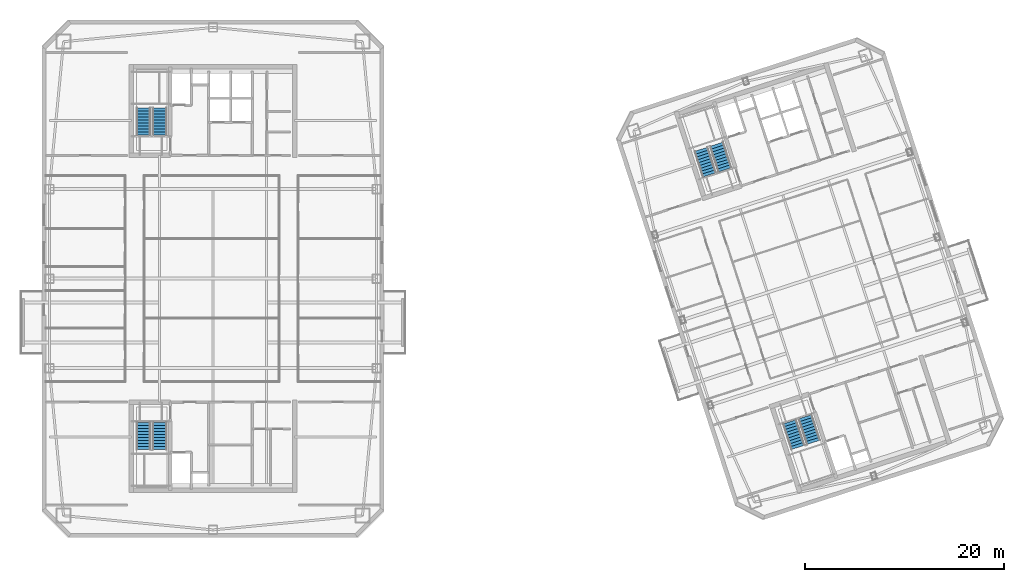
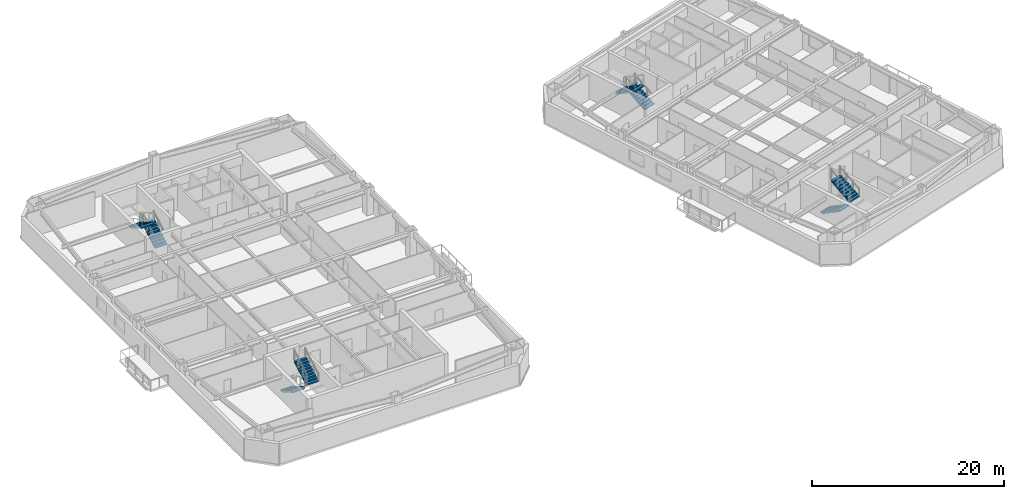
# One storey, part 11 of 15: 8 stair flights, 4 elements without a shape of their own.
"""IFC4 building model written with IfcOpenShell, lengths in metres."""

from ifc_helpers import new_model, si_unit, direction, frame, origin, place, context, subcontext, project, spatial, polyline, outline, extrude, material, type_object, element, aggregate, save


model = new_model("IFC4")

# Units and contexts
model_context = context("Model", 3, precision=1e-05, world=origin(), true_north=direction((0.0, 1.0)))
body_context = subcontext(model_context, "Body", "Model", "MODEL_VIEW")
ifc_project = project(units=[si_unit("LENGTHUNIT", "METRE"), si_unit("AREAUNIT", "SQUARE_METRE"), si_unit("VOLUMEUNIT", "CUBIC_METRE"), si_unit("PLANEANGLEUNIT", "RADIAN"), si_unit("MASSUNIT", "GRAM", prefix="KILO")], contexts=[model_context])

# Site, building, storey
site_placement = place(None, origin())
site = spatial("IfcSite", under=ifc_project, at=site_placement, CompositionType="ELEMENT")
building_placement = place(site_placement, origin())
building = spatial("IfcBuilding", under=site, at=building_placement, Name="Qiaolan Cultural Towers", CompositionType="ELEMENT")
storey_placement = place(building_placement, frame((0.0, 0.0, 209.300048828125)))
storey = spatial("IfcBuildingStorey", under=building, at=storey_placement, Name="L56", CompositionType="ELEMENT", Elevation=209.300048828125)

# Stair, stair flights
ifc_material_1 = material(Name="Concrete C45", Category="concrete")
stair_type = type_object("IfcStairType", Name="STR-CORE-1500", PredefinedType="HALF_TURN_STAIR", material=ifc_material_1)
stair_1_placement = place(storey_placement, origin())
stair_1 = element("IfcStair", 1, at=stair_1_placement, inside=storey, type_object=stair_type, Name="L56 Smokeproof Exit Stair ST-W1", PredefinedType="HALF_TURN_STAIR")
ifc_material_2 = material(Name="Concrete C45", Category="concrete")
stair_flight_type = type_object("IfcStairFlightType", Name="STR-CORE-1500-FL", PredefinedType="STRAIGHT", material=ifc_material_2)
stair_flight_1_placement = place(storey_placement, frame((23.02001953125, 19.550048828125, 0.0), z_axis=(0.0, 0.0, 1.0), x_axis=(0.0, -1.0, 0.0)))
stair_flight_1 = element("IfcStairFlight", 2, at=stair_flight_1_placement, type_object=stair_flight_type, Name="ST-W1 flight 1", NumberOfRisers=10, NumberOfTreads=9, PredefinedType="STRAIGHT", RiserHeight=0.1725, TreadLength=0.3, context=body_context, shape_type="SweptSolid", body=[
    extrude(outline(polyline([(0.0, 0.0), (0.0, 0.172607421875), (0.300048828125, 0.172607421875), (0.300048828125, 0.344970703125), (0.60009765625, 0.344970703125), (0.60009765625, 0.517578125), (0.89990234375, 0.517578125), (0.89990234375, 0.68994140625), (1.199951171875, 0.68994140625), (1.199951171875, 0.862548828125), (1.5, 0.862548828125), (1.5, 1.034912109375), (1.800048828125, 1.034912109375), (1.800048828125, 1.20751953125), (2.10009765625, 1.20751953125), (2.10009765625, 1.3798828125), (2.39990234375, 1.3798828125), (2.39990234375, 1.552490234375), (2.699951171875, 1.552490234375), (2.699951171875, 1.72509765625), (2.699951171875, 1.379638671875), (0.30078125, 0.0), (0.0, 0.0)])), frame((0.0, 0.719970703125, 0.0), z_axis=(0.0, -1.0, 0.0), x_axis=(1.0, 0.0, 0.0)), (0.0, 0.0, 1.0), 1.43994140625),
])
stair_flight_2_placement = place(storey_placement, frame((24.659912109375, 16.85009765625, 1.724853515625), z_axis=(0.0, 0.0, 1.0), x_axis=(0.0, 1.0, 0.0)))
stair_flight_2 = element("IfcStairFlight", 3, at=stair_flight_2_placement, type_object=stair_flight_type, Name="ST-W1 flight 2", NumberOfRisers=10, NumberOfTreads=9, PredefinedType="STRAIGHT", RiserHeight=0.1725, TreadLength=0.3, context=body_context, shape_type="SweptSolid", body=[
    extrude(outline(polyline([(0.0, 0.0), (0.0, 0.172607421875), (0.300048828125, 0.172607421875), (0.300048828125, 0.344970703125), (0.60009765625, 0.344970703125), (0.60009765625, 0.517578125), (0.89990234375, 0.517578125), (0.89990234375, 0.68994140625), (1.199951171875, 0.68994140625), (1.199951171875, 0.862548828125), (1.5, 0.862548828125), (1.5, 1.034912109375), (1.800048828125, 1.034912109375), (1.800048828125, 1.20751953125), (2.10009765625, 1.20751953125), (2.10009765625, 1.3798828125), (2.39990234375, 1.3798828125), (2.39990234375, 1.552490234375), (2.699951171875, 1.552490234375), (2.699951171875, 1.72509765625), (2.699951171875, 1.379638671875), (0.30078125, 0.0), (0.0, 0.0)])), frame((0.0, 0.719970703125, 0.0), z_axis=(0.0, -1.0, 0.0), x_axis=(1.0, 0.0, 0.0)), (0.0, 0.0, 1.0), 1.43994140625),
])
aggregate(stair_1, [stair_flight_1, stair_flight_2])

stair_2_placement = place(storey_placement, origin())
stair_2 = element("IfcStair", 4, at=stair_2_placement, inside=storey, type_object=stair_type, Name="L56 Smokeproof Exit Stair ST-W2", PredefinedType="HALF_TURN_STAIR")
stair_flight_3_placement = place(storey_placement, frame((24.659912109375, 48.449951171875, 0.0), z_axis=(0.0, 0.0, 1.0), x_axis=(0.0, 1.0, 0.0)))
stair_flight_3 = element("IfcStairFlight", 5, at=stair_flight_3_placement, type_object=stair_flight_type, Name="ST-W2 flight 1", NumberOfRisers=10, NumberOfTreads=9, PredefinedType="STRAIGHT", RiserHeight=0.1725, TreadLength=0.3, context=body_context, shape_type="SweptSolid", body=[
    extrude(outline(polyline([(0.0, 0.0), (0.0, 0.172607421875), (0.300048828125, 0.172607421875), (0.300048828125, 0.344970703125), (0.60009765625, 0.344970703125), (0.60009765625, 0.517578125), (0.89990234375, 0.517578125), (0.89990234375, 0.68994140625), (1.199951171875, 0.68994140625), (1.199951171875, 0.862548828125), (1.5, 0.862548828125), (1.5, 1.034912109375), (1.800048828125, 1.034912109375), (1.800048828125, 1.20751953125), (2.10009765625, 1.20751953125), (2.10009765625, 1.3798828125), (2.39990234375, 1.3798828125), (2.39990234375, 1.552490234375), (2.699951171875, 1.552490234375), (2.699951171875, 1.72509765625), (2.699951171875, 1.379638671875), (0.30078125, 0.0), (0.0, 0.0)])), frame((0.0, 0.719970703125, 0.0), z_axis=(0.0, -1.0, 0.0), x_axis=(1.0, 0.0, 0.0)), (0.0, 0.0, 1.0), 1.43994140625),
])
stair_flight_4_placement = place(storey_placement, frame((23.02001953125, 51.14990234375, 1.724853515625), z_axis=(0.0, 0.0, 1.0), x_axis=(0.0, -1.0, 0.0)))
stair_flight_4 = element("IfcStairFlight", 6, at=stair_flight_4_placement, type_object=stair_flight_type, Name="ST-W2 flight 2", NumberOfRisers=10, NumberOfTreads=9, PredefinedType="STRAIGHT", RiserHeight=0.1725, TreadLength=0.3, context=body_context, shape_type="SweptSolid", body=[
    extrude(outline(polyline([(0.0, 0.0), (0.0, 0.172607421875), (0.300048828125, 0.172607421875), (0.300048828125, 0.344970703125), (0.60009765625, 0.344970703125), (0.60009765625, 0.517578125), (0.89990234375, 0.517578125), (0.89990234375, 0.68994140625), (1.199951171875, 0.68994140625), (1.199951171875, 0.862548828125), (1.5, 0.862548828125), (1.5, 1.034912109375), (1.800048828125, 1.034912109375), (1.800048828125, 1.20751953125), (2.10009765625, 1.20751953125), (2.10009765625, 1.3798828125), (2.39990234375, 1.3798828125), (2.39990234375, 1.552490234375), (2.699951171875, 1.552490234375), (2.699951171875, 1.72509765625), (2.699951171875, 1.379638671875), (0.30078125, 0.0), (0.0, 0.0)])), frame((0.0, 0.719970703125, 0.0), z_axis=(0.0, -1.0, 0.0), x_axis=(1.0, 0.0, 0.0)), (0.0, 0.0, 1.0), 1.43994140625),
])
aggregate(stair_2, [stair_flight_3, stair_flight_4])

stair_3_placement = place(storey_placement, origin())
stair_3 = element("IfcStair", 7, at=stair_3_placement, inside=storey, type_object=stair_type, Name="L56 Smokeproof Exit Stair ST-E1", PredefinedType="HALF_TURN_STAIR")
stair_flight_5_placement = place(storey_placement, frame((87.96484375, 19.6171875, 0.0), z_axis=(0.0, 0.0, 1.0), x_axis=(0.309016994375, -0.951056516295, 0.0)))
stair_flight_5 = element("IfcStairFlight", 8, at=stair_flight_5_placement, type_object=stair_flight_type, Name="ST-E1 flight 1", NumberOfRisers=10, NumberOfTreads=9, PredefinedType="STRAIGHT", RiserHeight=0.1725, TreadLength=0.3, context=body_context, shape_type="SweptSolid", body=[
    extrude(outline(polyline([(0.0, 0.0), (0.0, 0.172607421875), (0.300048828125, 0.172607421875), (0.300048828125, 0.344970703125), (0.60009765625, 0.344970703125), (0.60009765625, 0.517578125), (0.89990234375, 0.517578125), (0.89990234375, 0.68994140625), (1.199951171875, 0.68994140625), (1.199951171875, 0.862548828125), (1.5, 0.862548828125), (1.5, 1.034912109375), (1.800048828125, 1.034912109375), (1.800048828125, 1.20751953125), (2.10009765625, 1.20751953125), (2.10009765625, 1.3798828125), (2.39990234375, 1.3798828125), (2.39990234375, 1.552490234375), (2.699951171875, 1.552490234375), (2.699951171875, 1.72509765625), (2.699951171875, 1.379638671875), (0.30078125, 0.0), (0.0, 0.0)])), frame((0.0, 0.719970703125, 0.0), z_axis=(0.0, -1.0, 0.0), x_axis=(1.0, 0.0, 0.0)), (0.0, 0.0, 1.0), 1.43994140625),
])
stair_flight_6_placement = place(storey_placement, frame((90.359130859375, 17.55615234375, 1.724853515625), z_axis=(0.0, 0.0, 1.0), x_axis=(-0.309016994375, 0.951056516295, 0.0)))
stair_flight_6 = element("IfcStairFlight", 9, at=stair_flight_6_placement, type_object=stair_flight_type, Name="ST-E1 flight 2", NumberOfRisers=10, NumberOfTreads=9, PredefinedType="STRAIGHT", RiserHeight=0.1725, TreadLength=0.3, context=body_context, shape_type="SweptSolid", body=[
    extrude(outline(polyline([(0.0, 0.0), (0.0, 0.172607421875), (0.300048828125, 0.172607421875), (0.300048828125, 0.344970703125), (0.60009765625, 0.344970703125), (0.60009765625, 0.517578125), (0.89990234375, 0.517578125), (0.89990234375, 0.68994140625), (1.199951171875, 0.68994140625), (1.199951171875, 0.862548828125), (1.5, 0.862548828125), (1.5, 1.034912109375), (1.800048828125, 1.034912109375), (1.800048828125, 1.20751953125), (2.10009765625, 1.20751953125), (2.10009765625, 1.3798828125), (2.39990234375, 1.3798828125), (2.39990234375, 1.552490234375), (2.699951171875, 1.552490234375), (2.699951171875, 1.72509765625), (2.699951171875, 1.379638671875), (0.30078125, 0.0), (0.0, 0.0)])), frame((0.0, 0.719970703125, 0.0), z_axis=(0.0, -1.0, 0.0), x_axis=(1.0, 0.0, 0.0)), (0.0, 0.0, 1.0), 1.43994140625),
])
aggregate(stair_3, [stair_flight_5, stair_flight_6])

stair_4_placement = place(storey_placement, origin())
stair_4 = element("IfcStair", 10, at=stair_4_placement, inside=storey, type_object=stair_type, Name="L56 Smokeproof Exit Stair ST-E2", PredefinedType="HALF_TURN_STAIR")
stair_flight_7_placement = place(storey_placement, frame((81.459228515625, 44.946533203125, 0.0), z_axis=(0.0, 0.0, 1.0), x_axis=(-0.309016994375, 0.951056516295, 0.0)))
stair_flight_7 = element("IfcStairFlight", 11, at=stair_flight_7_placement, type_object=stair_flight_type, Name="ST-E2 flight 1", NumberOfRisers=10, NumberOfTreads=9, PredefinedType="STRAIGHT", RiserHeight=0.1725, TreadLength=0.3, context=body_context, shape_type="SweptSolid", body=[
    extrude(outline(polyline([(0.0, 0.0), (0.0, 0.172607421875), (0.300048828125, 0.172607421875), (0.300048828125, 0.344970703125), (0.60009765625, 0.344970703125), (0.60009765625, 0.517578125), (0.89990234375, 0.517578125), (0.89990234375, 0.68994140625), (1.199951171875, 0.68994140625), (1.199951171875, 0.862548828125), (1.5, 0.862548828125), (1.5, 1.034912109375), (1.800048828125, 1.034912109375), (1.800048828125, 1.20751953125), (2.10009765625, 1.20751953125), (2.10009765625, 1.3798828125), (2.39990234375, 1.3798828125), (2.39990234375, 1.552490234375), (2.699951171875, 1.552490234375), (2.699951171875, 1.72509765625), (2.699951171875, 1.379638671875), (0.30078125, 0.0), (0.0, 0.0)])), frame((0.0, 0.719970703125, 0.0), z_axis=(0.0, -1.0, 0.0), x_axis=(1.0, 0.0, 0.0)), (0.0, 0.0, 1.0), 1.43994140625),
])
stair_flight_8_placement = place(storey_placement, frame((79.065185546875, 47.007568359375, 1.724853515625), z_axis=(0.0, 0.0, 1.0), x_axis=(0.309016994375, -0.951056516295, 0.0)))
stair_flight_8 = element("IfcStairFlight", 12, at=stair_flight_8_placement, type_object=stair_flight_type, Name="ST-E2 flight 2", NumberOfRisers=10, NumberOfTreads=9, PredefinedType="STRAIGHT", RiserHeight=0.1725, TreadLength=0.3, context=body_context, shape_type="SweptSolid", body=[
    extrude(outline(polyline([(0.0, 0.0), (0.0, 0.172607421875), (0.300048828125, 0.172607421875), (0.300048828125, 0.344970703125), (0.60009765625, 0.344970703125), (0.60009765625, 0.517578125), (0.89990234375, 0.517578125), (0.89990234375, 0.68994140625), (1.199951171875, 0.68994140625), (1.199951171875, 0.862548828125), (1.5, 0.862548828125), (1.5, 1.034912109375), (1.800048828125, 1.034912109375), (1.800048828125, 1.20751953125), (2.10009765625, 1.20751953125), (2.10009765625, 1.3798828125), (2.39990234375, 1.3798828125), (2.39990234375, 1.552490234375), (2.699951171875, 1.552490234375), (2.699951171875, 1.72509765625), (2.699951171875, 1.379638671875), (0.30078125, 0.0), (0.0, 0.0)])), frame((0.0, 0.719970703125, 0.0), z_axis=(0.0, -1.0, 0.0), x_axis=(1.0, 0.0, 0.0)), (0.0, 0.0, 1.0), 1.43994140625),
])
aggregate(stair_4, [stair_flight_7, stair_flight_8])

save(model, "model.ifc")
